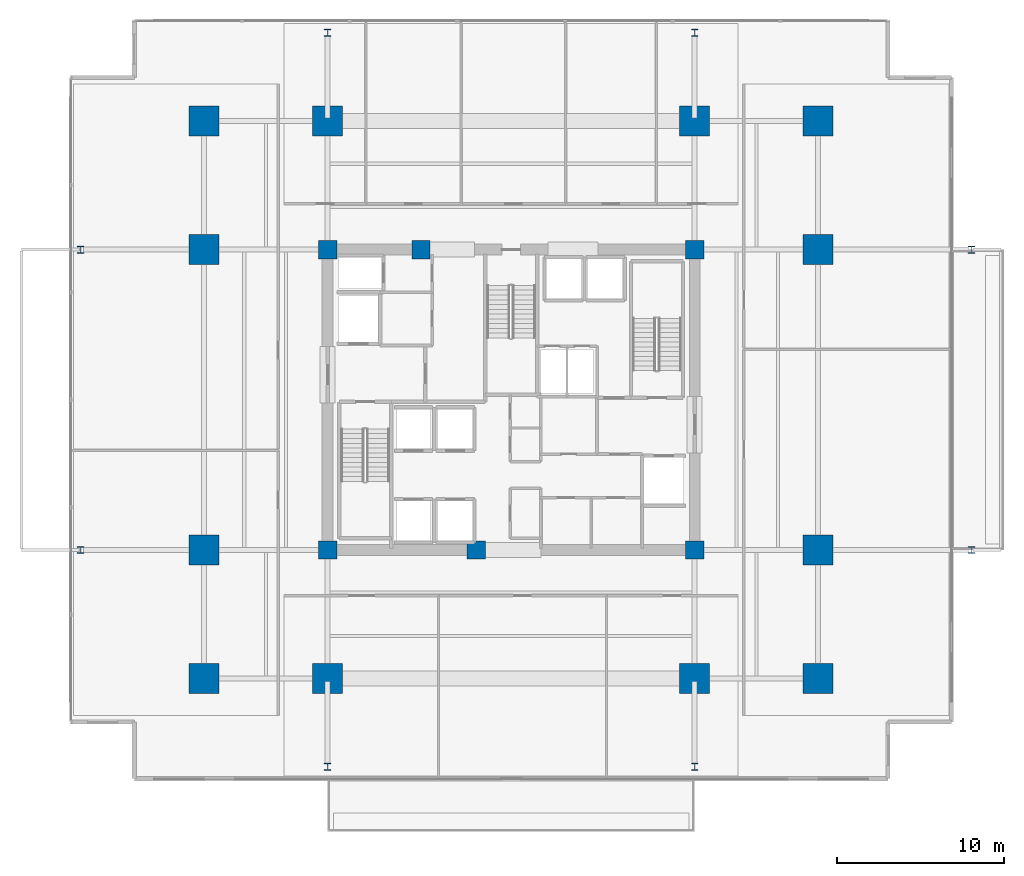
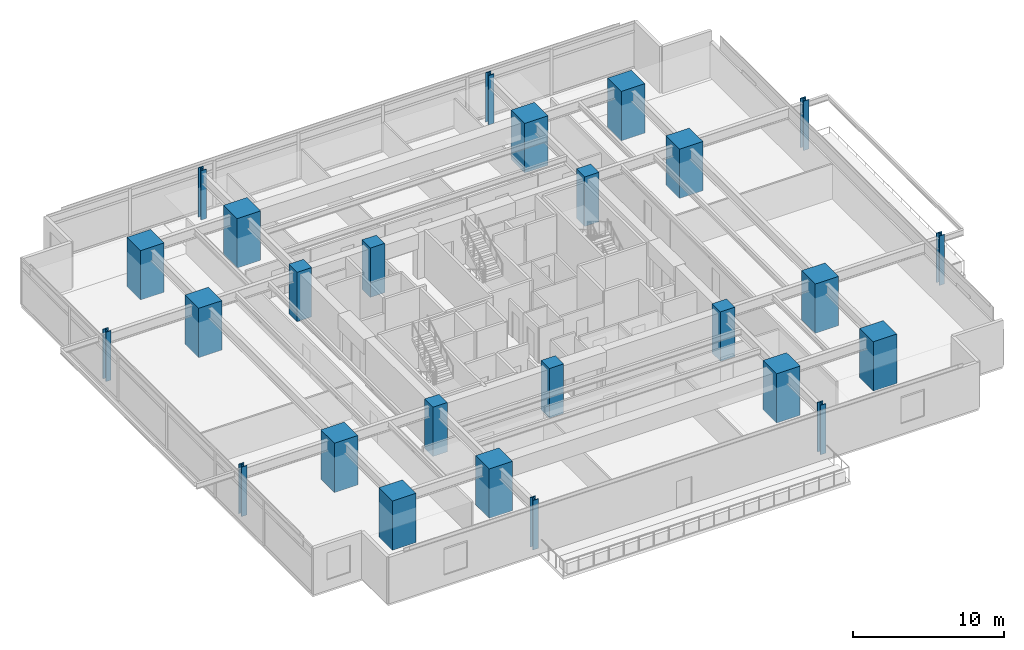
# One storey, part 1 of 24: 26 columns.
"""IFC4 building model written with IfcOpenShell, lengths in metres."""

from ifc_helpers import new_model, si_unit, direction, frame, origin, origin_2d, place, context, subcontext, project, spatial, rectangle, i_section, extrude, material, material_profile, profile_set, type_object, element, save


model = new_model("IFC4")

# Units and contexts
model_context = context("Model", 3, precision=1e-05, world=origin(), true_north=direction((0.0, 1.0)))
body_context = subcontext(model_context, "Body", "Model", "MODEL_VIEW")
ifc_project = project(units=[si_unit("LENGTHUNIT", "METRE"), si_unit("AREAUNIT", "SQUARE_METRE"), si_unit("VOLUMEUNIT", "CUBIC_METRE"), si_unit("PLANEANGLEUNIT", "RADIAN"), si_unit("MASSUNIT", "GRAM", prefix="KILO")], contexts=[model_context])

# Site, building, storey
site_placement = place(None, origin())
site = spatial("IfcSite", under=ifc_project, at=site_placement, CompositionType="ELEMENT")
building_placement = place(site_placement, origin())
building = spatial("IfcBuilding", under=site, at=building_placement, Name="Kovane Verandah Tower", CompositionType="ELEMENT")
storey_placement = place(building_placement, frame((0.0, 0.0, 95.60009765625)))
storey = spatial("IfcBuildingStorey", under=building, at=storey_placement, Name="L22", CompositionType="ELEMENT", Elevation=95.60009765625)

# Columns
ifc_material_1 = material(Name="Concrete C80/95", Category="concrete")
ifc_material_profile_1 = material_profile(ifc_material_1, rectangle(XDim=1.800048828125, YDim=1.800048828125, at=origin_2d()), Name="RC1800x1800")
ifc_profile_set_1 = profile_set([ifc_material_profile_1], Name="Concrete C80/95")
column_type_1 = type_object("IfcColumnType", Name="COL-RC1800", PredefinedType="COLUMN", material=ifc_profile_set_1)
for number, where, z_axis, x_axis, name in (
    (1, (29.0, 10.800048828125, 0.0), (0.0, 0.0, 1.0), (1.0, 0.0, 0.0), "L22 Tower Mega-Column MC-S1"),
    (2, (51.0, 10.800048828125, 0.0), (0.0, 0.0, 1.0), (1.0, 0.0, 0.0), "L22 Tower Mega-Column MC-S2"),
    (3, (29.0, 44.199951171875, 0.0), (0.0, 0.0, 1.0), (1.0, 0.0, 0.0), "L22 Tower Mega-Column MC-N1"),
    (4, (51.0, 44.199951171875, 0.0), (0.0, 0.0, 1.0), (1.0, 0.0, 0.0), "L22 Tower Mega-Column MC-N2"),
    (5, (21.60009765625, 18.5, 0.0), (0.0, 0.0, 1.0), (1.0, 0.0, 0.0), "L22 Tower Mega-Column MC-W1"),
    (6, (21.60009765625, 36.5, 0.0), (0.0, 0.0, 1.0), (1.0, 0.0, 0.0), "L22 Tower Mega-Column MC-W2"),
    (7, (58.39990234375, 18.5, 0.0), (0.0, 0.0, 1.0), (1.0, 0.0, 0.0), "L22 Tower Mega-Column MC-E1"),
    (8, (58.39990234375, 36.5, 0.0), (0.0, 0.0, 1.0), (1.0, 0.0, 0.0), "L22 Tower Mega-Column MC-E2"),
    (9, (21.60009765625, 10.800048828125, 0.0), (0.0, 0.0, 1.0), (1.0, 0.0, 0.0), "L22 Tower Mega-Column MC-SW"),
    (10, (58.39990234375, 10.800048828125, 0.0), (0.0, 0.0, 1.0), (1.0, 0.0, 0.0), "L22 Tower Mega-Column MC-SE"),
    (11, (21.60009765625, 44.199951171875, 0.0), (0.0, 0.0, 1.0), (1.0, 0.0, 0.0), "L22 Tower Mega-Column MC-NW"),
    (12, (58.39990234375, 44.199951171875, 0.0), (0.0, 0.0, 1.0), (1.0, 0.0, 0.0), "L22 Tower Mega-Column MC-NE"),
):
    element("IfcColumn", number, at=place(storey_placement, frame(where, z_axis=z_axis, x_axis=x_axis)), inside=storey, type_object=column_type_1, Name=name, PredefinedType="COLUMN", context=body_context, shape_type="SweptSolid", body=[
        extrude(rectangle(XDim=1.800048828125, YDim=1.800048828125, at=origin_2d()), origin(), (0.0, 0.0, 1.0), 4.0),
    ])
ifc_material_2 = material(Name="Steel S460", Category="steel")
ifc_material_profile_2 = material_profile(ifc_material_2, i_section(OverallWidth=0.412109375, OverallDepth=0.4365234375, WebThickness=0.035888671875, FlangeThickness=0.05810546875, FilletRadius=0.01513671875, at=origin_2d()), Name="UC356x406x467")
ifc_profile_set_2 = profile_set([ifc_material_profile_2], Name="Steel S460")
column_type_2 = type_object("IfcColumnType", Name="COL-UC467", PredefinedType="COLUMN", material=ifc_profile_set_2)
for number, where, z_axis, x_axis, name in (
    (13, (14.199951171875, 18.5, 0.0), (0.0, 0.0, 1.0), (1.0, 0.0, 0.0), "L22 Verandah Perimeter Column VC-W1"),
    (14, (14.199951171875, 36.5, 0.0), (0.0, 0.0, 1.0), (1.0, 0.0, 0.0), "L22 Verandah Perimeter Column VC-W2"),
    (15, (67.60009765625, 18.5, 0.0), (0.0, 0.0, 1.0), (1.0, 0.0, 0.0), "L22 Verandah Perimeter Column VC-E1"),
    (16, (67.60009765625, 36.5, 0.0), (0.0, 0.0, 1.0), (1.0, 0.0, 0.0), "L22 Verandah Perimeter Column VC-E2"),
    (17, (29.0, 5.5, 0.0), (0.0, 0.0, 1.0), (1.0, 0.0, 0.0), "L22 Verandah Perimeter Column VC-S1"),
    (18, (51.0, 5.5, 0.0), (0.0, 0.0, 1.0), (1.0, 0.0, 0.0), "L22 Verandah Perimeter Column VC-S2"),
    (19, (29.0, 49.5, 0.0), (0.0, 0.0, 1.0), (1.0, 0.0, 0.0), "L22 Verandah Perimeter Column VC-N1"),
    (20, (51.0, 49.5, 0.0), (0.0, 0.0, 1.0), (1.0, 0.0, 0.0), "L22 Verandah Perimeter Column VC-N2"),
):
    element("IfcColumn", number, at=place(storey_placement, frame(where, z_axis=z_axis, x_axis=x_axis)), inside=storey, type_object=column_type_2, Name=name, PredefinedType="COLUMN", context=body_context, shape_type="SweptSolid", body=[
        extrude(i_section(OverallWidth=0.412109375, OverallDepth=0.4365234375, WebThickness=0.035888671875, FlangeThickness=0.05810546875, FilletRadius=0.01513671875, at=origin_2d()), origin(), (0.0, 0.0, 1.0), 4.0),
    ])
ifc_material_profile_3 = material_profile(ifc_material_1, rectangle(XDim=1.10009765625, YDim=1.10009765625, at=origin_2d()), Name="RC1100x1100")
ifc_profile_set_3 = profile_set([ifc_material_profile_3], Name="Concrete C80/95")
column_type_3 = type_object("IfcColumnType", Name="PIL-RC1100", PredefinedType="PILASTER", material=ifc_profile_set_3)
for number, where, z_axis, x_axis, name in (
    (21, (29.0, 18.5, 0.0), (0.0, 0.0, 1.0), (1.0, 0.0, 0.0), "L22 Core Pilaster CP-SW"),
    (22, (51.0, 18.5, 0.0), (0.0, 0.0, 1.0), (1.0, 0.0, 0.0), "L22 Core Pilaster CP-SE"),
    (23, (29.0, 36.5, 0.0), (0.0, 0.0, 1.0), (1.0, 0.0, 0.0), "L22 Core Pilaster CP-NW"),
    (24, (51.0, 36.5, 0.0), (0.0, 0.0, 1.0), (1.0, 0.0, 0.0), "L22 Core Pilaster CP-NE"),
    (25, (37.89990234375, 18.5, 0.0), (0.0, 0.0, 1.0), (1.0, 0.0, 0.0), "L22 Core Pilaster CP-S"),
    (26, (34.60009765625, 36.5, 0.0), (0.0, 0.0, 1.0), (1.0, 0.0, 0.0), "L22 Core Pilaster CP-N"),
):
    element("IfcColumn", number, at=place(storey_placement, frame(where, z_axis=z_axis, x_axis=x_axis)), inside=storey, type_object=column_type_3, Name=name, PredefinedType="PILASTER", context=body_context, shape_type="SweptSolid", body=[
        extrude(rectangle(XDim=1.10009765625, YDim=1.10009765625, at=origin_2d()), origin(), (0.0, 0.0, 1.0), 4.0),
    ])

save(model, "model.ifc")
